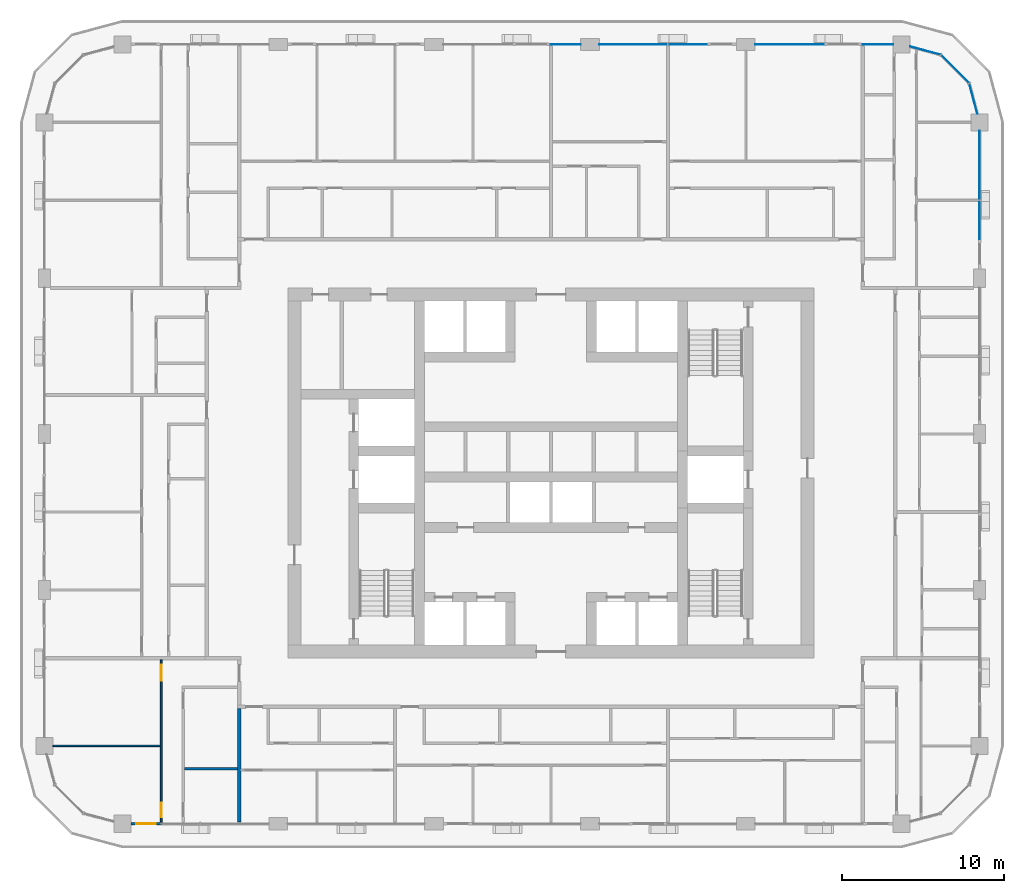
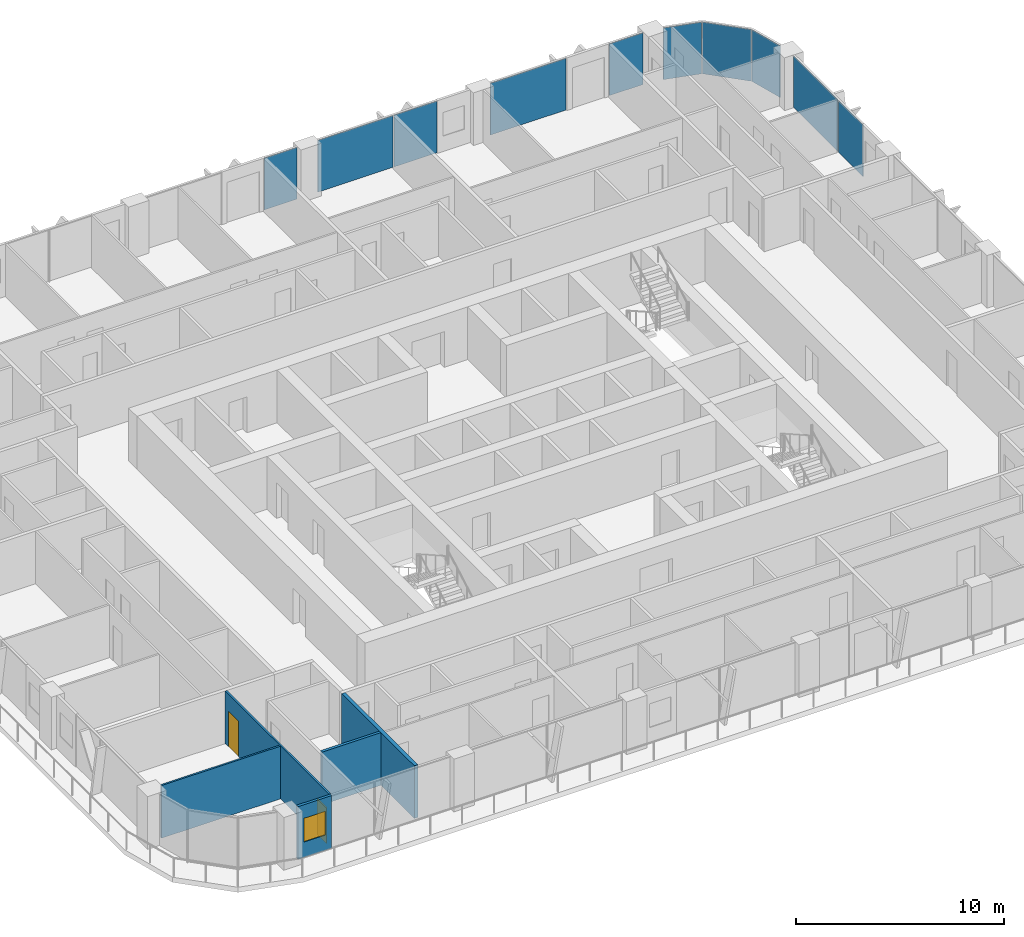
# One storey, part 8 of 22: 10 plates, 5 walls, 2 doors, 1 window, 3 openings, 5 elements without a shape of their own.
"""IFC4 building model written with IfcOpenShell, lengths in metres."""

from ifc_helpers import new_model, si_unit, direction, frame, frame_2d, origin, origin_2d, place, context, subcontext, project, spatial, rectangle, extrude, material, layer, layer_set, type_object, element, fill, aggregate, save


model = new_model("IFC4")

# Units and contexts
model_context = context("Model", 3, precision=1e-05, world=origin(), true_north=direction((0.0, 1.0)))
body_context = subcontext(model_context, "Body", "Model", "MODEL_VIEW")
ifc_project = project(units=[si_unit("LENGTHUNIT", "METRE"), si_unit("AREAUNIT", "SQUARE_METRE"), si_unit("VOLUMEUNIT", "CUBIC_METRE"), si_unit("PLANEANGLEUNIT", "RADIAN"), si_unit("MASSUNIT", "GRAM", prefix="KILO")], contexts=[model_context])

# Site, building, storey
site_placement = place(None, origin())
site = spatial("IfcSite", under=ifc_project, at=site_placement, CompositionType="ELEMENT")
building_placement = place(site_placement, origin())
building = spatial("IfcBuilding", under=site, at=building_placement, Name="Madar Terraces", CompositionType="ELEMENT")
storey_placement = place(building_placement, frame((0.0, 0.0, 140.10009765625)))
storey = spatial("IfcBuildingStorey", under=building, at=storey_placement, Name="L36", CompositionType="ELEMENT", Elevation=140.10009765625)

# Curtain wall, plates
ifc_material_1 = material(Name="Glass, ceramic frit dark grey, with black aluminium frame", Category="aluminium")
ifc_layer_1 = layer(ifc_material_1, 0.199951171875)
ifc_layer_set_1 = layer_set([ifc_layer_1], Name="Facade curtain wall, fritted glass")
curtain_wall_type = type_object("IfcCurtainWallType", Name="Facade curtain wall, fritted glass", PredefinedType="NOTDEFINED", material=ifc_layer_set_1)
curtain_wall_1_placement = place(storey_placement, origin())
curtain_wall_1 = element("IfcCurtainWall", 1, at=curtain_wall_1_placement, inside=storey, type_object=curtain_wall_type, Name="Outer skin curtain wall east bay 4", PredefinedType="NOTDEFINED")
ifc_material_2 = material(Name="Glass, ceramic frit dark grey", Category="glass")
ifc_layer_2 = layer(ifc_material_2, 0.028076171875)
ifc_layer_set_2 = layer_set([ifc_layer_2], Name="Facade glass panel 28")
plate_type = type_object("IfcPlateType", Name="Facade glass panel 28", PredefinedType="CURTAIN_PANEL", material=ifc_layer_set_2)
plate_1_placement = place(storey_placement, frame((57.60009765625, 41.985107421875, 0.0), z_axis=(0.0, 0.0, 1.0), x_axis=(0.0, 1.0, 0.0)))
plate_1 = element("IfcPlate", 2, at=plate_1_placement, type_object=plate_type, Name="Panel 1", PredefinedType="CURTAIN_PANEL", context=body_context, shape_type="SweptSolid", body=[
    extrude(rectangle(XDim=2.3701171875, YDim=0.028076171875, at=origin_2d()), origin(), (0.0, 0.0, 1.0), 3.0400390625),
])
plate_2_placement = place(storey_placement, frame((57.60009765625, 45.3525390625, 0.0), z_axis=(0.0, 0.0, 1.0), x_axis=(0.0, 1.0, 0.0)))
plate_2 = element("IfcPlate", 3, at=plate_2_placement, type_object=plate_type, Name="Panel 2", PredefinedType="CURTAIN_PANEL", context=body_context, shape_type="SweptSolid", body=[
    extrude(rectangle(XDim=4.2451171875, YDim=0.028076171875, at=origin_2d()), origin(), (0.0, 0.0, 1.0), 3.0400390625),
])
aggregate(curtain_wall_1, [plate_1, plate_2])

curtain_wall_2_placement = place(storey_placement, origin())
curtain_wall_2 = element("IfcCurtainWall", 4, at=curtain_wall_2_placement, inside=storey, type_object=curtain_wall_type, Name="Outer skin curtain wall north bay 1", PredefinedType="NOTDEFINED")
plate_3_placement = place(storey_placement, frame((51.33740234375, 52.800048828125, 0.0), z_axis=(0.0, 0.0, 1.0), x_axis=(-1.0, 0.0, 0.0)))
plate_3 = element("IfcPlate", 5, at=plate_3_placement, type_object=plate_type, Name="Panel 1", PredefinedType="CURTAIN_PANEL", context=body_context, shape_type="SweptSolid", body=[
    extrude(rectangle(XDim=1.875, YDim=0.028076171875, at=origin_2d()), origin(), (0.0, 0.0, 1.0), 3.0400390625),
])
plate_4_placement = place(storey_placement, frame((45.887451171875, 52.800048828125, 0.0), z_axis=(0.0, 0.0, 1.0), x_axis=(-1.0, 0.0, 0.0)))
plate_4 = element("IfcPlate", 6, at=plate_4_placement, type_object=plate_type, Name="Panel 2", PredefinedType="CURTAIN_PANEL", context=body_context, shape_type="SweptSolid", body=[
    extrude(rectangle(XDim=4.22509765625, YDim=0.028076171875, at=origin_2d()), origin(), (0.0, 0.0, 1.0), 3.0400390625),
])
aggregate(curtain_wall_2, [plate_3, plate_4])

curtain_wall_3_placement = place(storey_placement, origin())
curtain_wall_3 = element("IfcCurtainWall", 7, at=curtain_wall_3_placement, inside=storey, type_object=curtain_wall_type, Name="Outer skin curtain wall north bay 2", PredefinedType="NOTDEFINED")
plate_5_placement = place(storey_placement, frame((39.614990234375, 52.800048828125, 0.0), z_axis=(0.0, 0.0, 1.0), x_axis=(-1.0, 0.0, 0.0)))
plate_5 = element("IfcPlate", 8, at=plate_5_placement, type_object=plate_type, Name="Panel 1", PredefinedType="CURTAIN_PANEL", context=body_context, shape_type="SweptSolid", body=[
    extrude(rectangle(XDim=2.3701171875, YDim=0.028076171875, at=origin_2d()), origin(), (0.0, 0.0, 1.0), 3.0400390625),
])
plate_6_placement = place(storey_placement, frame((36.2724609375, 52.800048828125, 0.0), z_axis=(0.0, 0.0, 1.0), x_axis=(-1.0, 0.0, 0.0)))
plate_6 = element("IfcPlate", 9, at=plate_6_placement, type_object=plate_type, Name="Panel 2", PredefinedType="CURTAIN_PANEL", context=body_context, shape_type="SweptSolid", body=[
    extrude(rectangle(XDim=4.195068359375, YDim=0.028076171875, at=origin_2d()), origin(), (0.0, 0.0, 1.0), 3.0400390625),
])
aggregate(curtain_wall_3, [plate_5, plate_6])

# Curtain wall, plate
curtain_wall_4_placement = place(storey_placement, origin())
curtain_wall_4 = element("IfcCurtainWall", 10, at=curtain_wall_4_placement, inside=storey, type_object=curtain_wall_type, Name="Outer skin curtain wall north bay 3", PredefinedType="NOTDEFINED")
plate_7_placement = place(storey_placement, frame((32.112548828125, 52.800048828125, 0.0), z_axis=(0.0, 0.0, 1.0), x_axis=(-1.0, 0.0, 0.0)))
plate_7 = element("IfcPlate", 11, at=plate_7_placement, type_object=plate_type, Name="Panel 1", PredefinedType="CURTAIN_PANEL", context=body_context, shape_type="SweptSolid", body=[
    extrude(rectangle(XDim=1.824951171875, YDim=0.028076171875, at=origin_2d()), origin(), (0.0, 0.0, 1.0), 3.0400390625),
])
aggregate(curtain_wall_4, [plate_7])

# Curtain wall, plates
curtain_wall_5_placement = place(storey_placement, origin())
curtain_wall_5 = element("IfcCurtainWall", 12, at=curtain_wall_5_placement, inside=storey, type_object=curtain_wall_type, Name="Outer skin curtain wall north-east corner", PredefinedType="NOTDEFINED")
plate_8_placement = place(storey_placement, frame((57.2119140625, 49.447998046875, 0.0), z_axis=(0.0, 0.0, 1.0), x_axis=(-0.258819021888, 0.965925832509, 0.0)))
plate_8 = element("IfcPlate", 13, at=plate_8_placement, type_object=plate_type, Name="Panel 1", PredefinedType="CURTAIN_PANEL", context=body_context, shape_type="SweptSolid", body=[
    extrude(rectangle(XDim=1.9111328125, YDim=0.028076171875, at=origin_2d()), origin(), (0.0, 0.0, 1.0), 3.0400390625),
])
plate_9_placement = place(storey_placement, frame((56.078369140625, 51.278564453125, 0.0), z_axis=(0.0, 0.0, 1.0), x_axis=(-0.707106781187, 0.707106781187, 0.0)))
plate_9 = element("IfcPlate", 14, at=plate_9_placement, type_object=plate_type, Name="Panel 2", PredefinedType="CURTAIN_PANEL", context=body_context, shape_type="SweptSolid", body=[
    extrude(rectangle(XDim=2.424560546875, YDim=0.028076171875, at=origin_2d()), origin(), (0.0, 0.0, 1.0), 3.0400390625),
])
plate_10_placement = place(storey_placement, frame((54.248046875, 52.412109375, 0.0), z_axis=(0.0, 0.0, 1.0), x_axis=(-0.965925832509, 0.258819021888, 0.0)))
plate_10 = element("IfcPlate", 15, at=plate_10_placement, type_object=plate_type, Name="Panel 3", PredefinedType="CURTAIN_PANEL", context=body_context, shape_type="SweptSolid", body=[
    extrude(rectangle(XDim=1.9111328125, YDim=0.028076171875, at=origin_2d()), origin(), (0.0, 0.0, 1.0), 3.0400390625),
])
aggregate(curtain_wall_5, [plate_8, plate_9, plate_10])

# Wall, opening, window
ifc_material_3 = material(Name="Aluminium composite panel, black, over insulated backing", Category="aluminium")
ifc_layer_3 = layer(ifc_material_3, 0.14990234375)
ifc_layer_set_3 = layer_set([ifc_layer_3], Name="Facade bay panel 150")
wall_type_1 = type_object("IfcWallType", Name="Facade bay panel 150", PredefinedType="SOLIDWALL", material=ifc_layer_set_3)
wall_1_placement = place(storey_placement, frame((5.324951171875, 4.800048828125, 0.0), z_axis=(0.0, 0.0, 1.0), x_axis=(1.0, 0.0, 0.0)))
wall_1 = element("IfcWall", 16, at=wall_1_placement, inside=storey, type_object=wall_type_1, Name="Facade bay panel", PredefinedType="SOLIDWALL", context=body_context, shape_type="SweptSolid", body=[
    extrude(rectangle(XDim=1.875, YDim=0.14990234375, at=frame_2d((0.9375, 0.0))), origin(), (0.0, 0.0, 1.0), 3.099853515625),
])
opening_1_placement = place(wall_1_placement, frame((0.33740234375, 0.0, 0.89990234375)))
opening_1 = element("IfcOpeningElement", 17, at=opening_1_placement, cuts=wall_1, Name="Opening W1", PredefinedType="OPENING", context=body_context, shape_type="SweptSolid", body=[
    extrude(rectangle(XDim=1.199951171875, YDim=1.39990234375, at=frame_2d((0.60009765625, 0.699951171875))), frame((0.0, 0.0849609375, 0.0), z_axis=(0.0, -1.0, 0.0), x_axis=(1.0, 0.0, 0.0)), (0.0, 0.0, 1.0), 0.169921875),
])
ifc_material_4 = material(Name="Glass, clear, with black aluminium frame", Category="aluminium")
window_type = type_object("IfcWindowType", Name="Vent window 1200 x 1400", PartitioningType="SINGLE_PANEL", PredefinedType="WINDOW", material=ifc_material_4)
window_placement = place(opening_1_placement, origin())
window = element("IfcWindow", 18, at=window_placement, inside=storey, type_object=window_type, Name="Operable vent window", OverallHeight=1.39990234375, OverallWidth=1.199951171875, PartitioningType="SINGLE_PANEL", PredefinedType="WINDOW", context=body_context, shape_type="SweptSolid", body=[
    extrude(rectangle(XDim=1.199951171875, YDim=1.39990234375, at=frame_2d((0.60009765625, 0.699951171875))), frame((0.0, 0.030029296875, 0.0), z_axis=(0.0, -1.0, 0.0), x_axis=(1.0, 0.0, 0.0)), (0.0, 0.0, 1.0), 0.06005859375),
])
fill(opening_1, window)

# Wall
ifc_material_5 = material(Name="Gypsum board on steel studs", Category="steel")
ifc_layer_4 = layer(ifc_material_5, 0.10009765625)
ifc_layer_set_4 = layer_set([ifc_layer_4], Name="Flat partition 100")
wall_type_2 = type_object("IfcWallType", Name="Flat partition 100", PredefinedType="PARTITIONING", material=ifc_layer_set_4)
wall_2_placement = place(storey_placement, frame((7.14990234375, 9.60009765625, 0.0), z_axis=(0.0, 0.0, 1.0), x_axis=(-1.0, 0.0, 0.0)))
element("IfcWall", 19, at=wall_2_placement, inside=storey, type_object=wall_type_2, Name="Flat partition 100", PredefinedType="PARTITIONING", context=body_context, shape_type="SweptSolid", body=[
    extrude(rectangle(XDim=6.625, YDim=0.10009765625, at=frame_2d((3.3125, 0.0))), origin(), (0.0, 0.0, 1.0), 3.099853515625),
])

# Wall, openings, doors
wall_3_placement = place(storey_placement, frame((7.199951171875, 4.89990234375, 0.0), z_axis=(0.0, 0.0, 1.0), x_axis=(0.0, 1.0, 0.0)))
wall_3 = element("IfcWall", 20, at=wall_3_placement, inside=storey, type_object=wall_type_2, Name="Flat partition 100", PredefinedType="PARTITIONING", context=body_context, shape_type="SweptSolid", body=[
    extrude(rectangle(XDim=10.0, YDim=0.10009765625, at=frame_2d((5.0, 0.0))), origin(), (0.0, 0.0, 1.0), 3.099853515625),
])
opening_2_placement = place(wall_3_placement, frame((8.699951171875, 0.0, 0.0)))
opening_2 = element("IfcOpeningElement", 21, at=opening_2_placement, cuts=wall_3, Name="Opening D3", PredefinedType="OPENING", context=body_context, shape_type="SweptSolid", body=[
    extrude(rectangle(XDim=1.0, YDim=2.10009765625, at=frame_2d((0.5, 1.050048828125))), frame((0.0, 0.06005859375, 0.0), z_axis=(0.0, -1.0, 0.0), x_axis=(1.0, 0.0, 0.0)), (0.0, 0.0, 1.0), 0.1201171875),
])
opening_3_placement = place(wall_3_placement, frame((0.300048828125, 0.0, 0.0)))
opening_3 = element("IfcOpeningElement", 22, at=opening_3_placement, cuts=wall_3, Name="Opening D2", PredefinedType="OPENING", context=body_context, shape_type="SweptSolid", body=[
    extrude(rectangle(XDim=0.89990234375, YDim=2.10009765625, at=frame_2d((0.449951171875, 1.050048828125))), frame((0.0, 0.06005859375, 0.0), z_axis=(0.0, -1.0, 0.0), x_axis=(1.0, 0.0, 0.0)), (0.0, 0.0, 1.0), 0.1201171875),
])
ifc_material_6 = material(Name="Timber door leaf", Category="wood")
door_type_1 = type_object("IfcDoorType", Name="Flat living room door 1000", OperationType="NOTDEFINED", PredefinedType="DOOR", material=ifc_material_6)
door_1_placement = place(opening_2_placement, origin())
door_1 = element("IfcDoor", 23, at=door_1_placement, inside=storey, type_object=door_type_1, Name="Flat living room door 1000", OperationType="SINGLE_SWING_RIGHT", OverallHeight=2.10009765625, OverallWidth=1.0, PredefinedType="DOOR", context=body_context, shape_type="SweptSolid", body=[
    extrude(rectangle(XDim=1.0, YDim=2.10009765625, at=frame_2d((0.5, 1.050048828125))), frame((0.0, 0.02490234375, 0.0), z_axis=(0.0, -1.0, 0.0), x_axis=(1.0, 0.0, 0.0)), (0.0, 0.0, 1.0), 0.050048828125),
])
fill(opening_2, door_1)
ifc_material_7 = material(Name="Timber door leaf", Category="wood")
door_type_2 = type_object("IfcDoorType", Name="Flat room door 900", OperationType="NOTDEFINED", PredefinedType="DOOR", material=ifc_material_7)
door_2_placement = place(opening_3_placement, origin())
door_2 = element("IfcDoor", 24, at=door_2_placement, inside=storey, type_object=door_type_2, Name="Flat room door 900", OperationType="SINGLE_SWING_LEFT", OverallHeight=2.10009765625, OverallWidth=0.89990234375, PredefinedType="DOOR", context=body_context, shape_type="SweptSolid", body=[
    extrude(rectangle(XDim=0.89990234375, YDim=2.10009765625, at=frame_2d((0.449951171875, 1.050048828125))), frame((0.0, 0.02490234375, 0.0), z_axis=(0.0, -1.0, 0.0), x_axis=(1.0, 0.0, 0.0)), (0.0, 0.0, 1.0), 0.050048828125),
])
fill(opening_3, door_2)

# Walls
ifc_material_8 = material(Name="Lightweight blockwork", Category="masonry")
ifc_layer_5 = layer(ifc_material_8, 0.199951171875)
ifc_layer_set_5 = layer_set([ifc_layer_5], Name="Flat party and entrance wall 200")
wall_type_3 = type_object("IfcWallType", Name="Flat party and entrance wall 200", PredefinedType="PARTITIONING", material=ifc_layer_set_5)
wall_4_placement = place(storey_placement, frame((12.0, 4.89990234375, 0.0), z_axis=(0.0, 0.0, 1.0), x_axis=(0.0, 1.0, 0.0)))
element("IfcWall", 25, at=wall_4_placement, inside=storey, type_object=wall_type_3, Name="Flat party and entrance wall 200", PredefinedType="PARTITIONING", context=body_context, shape_type="SweptSolid", body=[
    extrude(rectangle(XDim=7.0, YDim=0.199951171875, at=frame_2d((3.5, 0.0))), origin(), (0.0, 0.0, 1.0), 3.099853515625),
])
ifc_material_9 = material(Name="Lightweight blockwork", Category="masonry")
ifc_layer_6 = layer(ifc_material_9, 0.14990234375)
ifc_layer_set_6 = layer_set([ifc_layer_6], Name="Flat wet-room partition 150")
wall_type_4 = type_object("IfcWallType", Name="Flat wet-room partition 150", PredefinedType="PARTITIONING", material=ifc_layer_set_6)
wall_5_placement = place(storey_placement, frame((11.89990234375, 8.18994140625, 0.0), z_axis=(0.0, 0.0, 1.0), x_axis=(-1.0, 0.0, 0.0)))
element("IfcWall", 26, at=wall_5_placement, inside=storey, type_object=wall_type_4, Name="Flat wet-room partition 150", PredefinedType="PARTITIONING", context=body_context, shape_type="SweptSolid", body=[
    extrude(rectangle(XDim=3.27490234375, YDim=0.14990234375, at=frame_2d((1.637451171875, 0.0))), origin(), (0.0, 0.0, 1.0), 3.099853515625),
])

save(model, "model.ifc")
